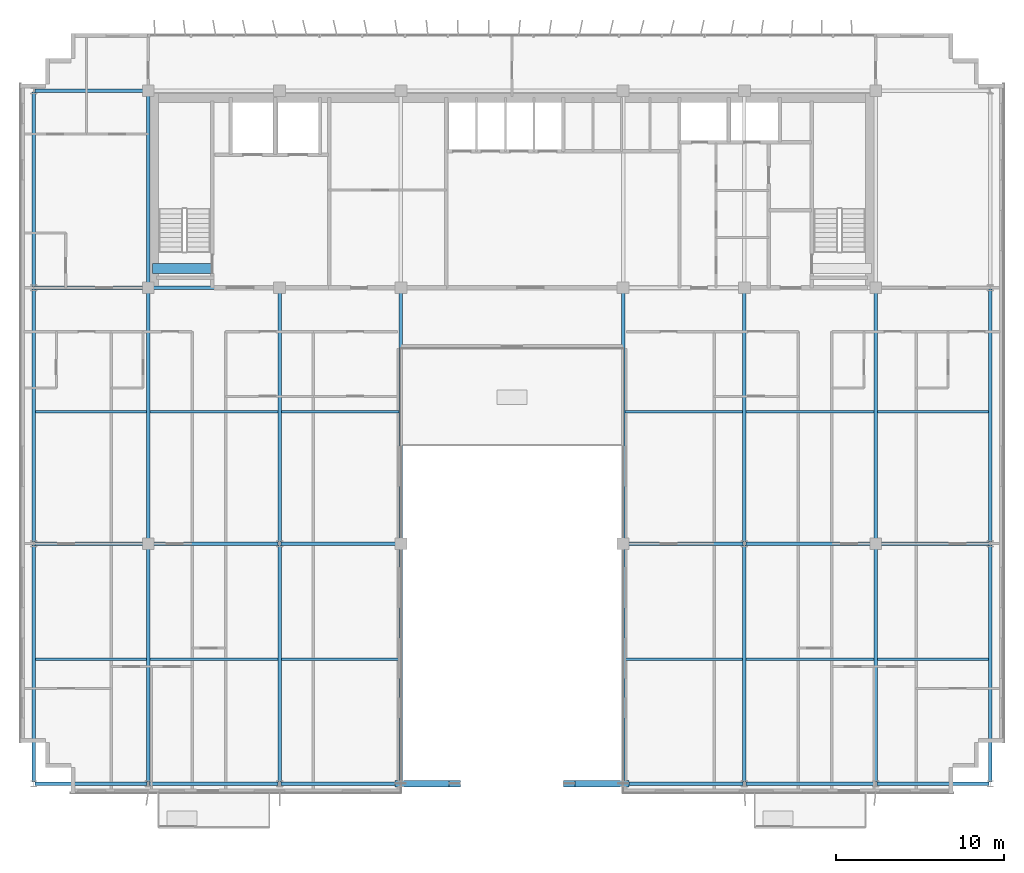
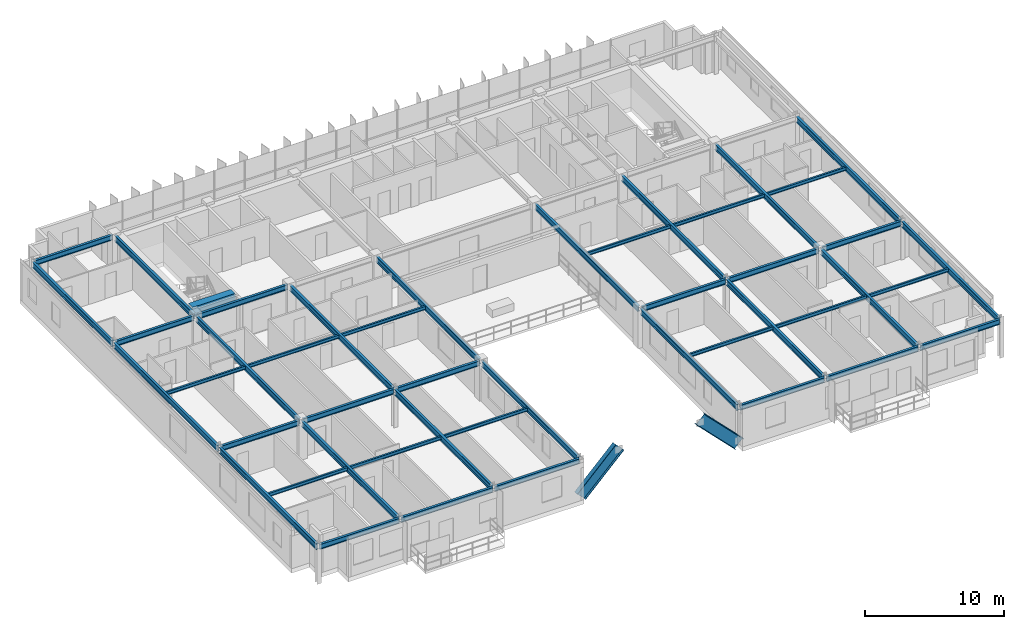
# One storey, part 5 of 23: 46 beams, 2 members.
"""IFC4 building model written with IfcOpenShell, lengths in metres."""

from ifc_helpers import new_model, si_unit, direction, frame, origin, origin_2d, place, context, subcontext, project, spatial, rectangle, i_section, extrude, source, transform, mapped, material, material_profile, profile_set, type_object, element, save


model = new_model("IFC4")

# Units and contexts
model_context = context("Model", 3, precision=1e-05, world=origin(), true_north=direction((0.0, 1.0)))
body_context = subcontext(model_context, "Body", "Model", "MODEL_VIEW")
ifc_project = project(units=[si_unit("LENGTHUNIT", "METRE"), si_unit("AREAUNIT", "SQUARE_METRE"), si_unit("VOLUMEUNIT", "CUBIC_METRE"), si_unit("PLANEANGLEUNIT", "RADIAN"), si_unit("MASSUNIT", "GRAM", prefix="KILO")], contexts=[model_context])

# Site, building, storey
site_placement = place(None, origin())
site = spatial("IfcSite", under=ifc_project, at=site_placement, CompositionType="ELEMENT")
building_placement = place(site_placement, origin())
building = spatial("IfcBuilding", under=site, at=building_placement, Name="Trelvane Seafront Commons", CompositionType="ELEMENT")
storey_placement = place(building_placement, frame((0.0, 0.0, 190.5)))
storey = spatial("IfcBuildingStorey", under=building, at=storey_placement, Name="L49", CompositionType="ELEMENT", Elevation=190.5)

# Beams
ifc_material_1 = material(Name="Concrete C60/75", Category="concrete")
ifc_material_profile_1 = material_profile(ifc_material_1, rectangle(XDim=0.60009765625, YDim=0.89990234375, at=origin_2d()), Name="RC-600x900")
ifc_profile_set_1 = profile_set([ifc_material_profile_1], Name="Concrete C60/75")
beam_type_1 = type_object("IfcBeamType", Name="STR-LNT-RC600x900", PredefinedType="LINTEL", material=ifc_profile_set_1)
shared_shape_1 = source(origin(), body_context, "Body", "SweptSolid", [
    extrude(rectangle(XDim=0.60009765625, YDim=0.89990234375, at=origin_2d()), origin(), (0.0, 0.0, 1.0), 3.5498046875),
])
beam_1_placement = place(storey_placement, frame((15.85009765625, 34.550048828125, 2.909912109375), z_axis=(1.0, 0.0, 0.0), x_axis=(0.0, 1.0, 0.0)))
element("IfcBeam", 1, at=beam_1_placement, inside=storey, type_object=beam_type_1, Name="L49 Core Coupling Lintel Beam CB-67", PredefinedType="LINTEL", context=body_context, shape_type="MappedRepresentation", body=[
    mapped(shared_shape_1, transform((0.0, 0.0, 0.0), x_axis=(1.0, 0.0, 0.0), y_axis=(0.0, 1.0, 0.0), z_axis=(0.0, 0.0, 1.0), scale=1.0)),
])
ifc_material_2 = material(Name="Steel SM355 (S355)", Category="steel")
ifc_material_profile_2 = material_profile(ifc_material_2, i_section(OverallWidth=0.199951171875, OverallDepth=0.5, WebThickness=0.010009765625, FlangeThickness=0.01611328125, at=origin_2d()), Name="H-500x200x10x16")
ifc_profile_set_2 = profile_set([ifc_material_profile_2], Name="Steel SM355 (S355)")
beam_type_2 = type_object("IfcBeamType", Name="STR-BM-H500", PredefinedType="BEAM", material=ifc_profile_set_2)
shared_shape_2 = source(origin(), body_context, "Body", "SweptSolid", [
    extrude(i_section(OverallWidth=0.199951171875, OverallDepth=0.5, WebThickness=0.010009765625, FlangeThickness=0.01611328125, at=origin_2d()), origin(), (0.0, 0.0, 1.0), 14.89990234375),
])
for number, where, z_axis, x_axis, name in (
    (2, (15.60009765625, 18.35009765625, 3.110107421875), (0.0, 1.0, 0.0), (-1.0, 0.0, 0.0), "L49 Primary Girder G-33"),
    (3, (30.60009765625, 18.35009765625, 3.110107421875), (0.0, 1.0, 0.0), (-1.0, 0.0, 0.0), "L49 Primary Girder G-39"),
    (4, (43.800048828125, 18.35009765625, 3.110107421875), (0.0, 1.0, 0.0), (-1.0, 0.0, 0.0), "L49 Primary Girder G-42"),
    (5, (58.800048828125, 18.35009765625, 3.110107421875), (0.0, 1.0, 0.0), (-1.0, 0.0, 0.0), "L49 Primary Girder G-48"),
):
    element("IfcBeam", number, at=place(storey_placement, frame(where, z_axis=z_axis, x_axis=x_axis)), inside=storey, type_object=beam_type_2, Name=name, PredefinedType="BEAM", context=body_context, shape_type="MappedRepresentation", body=[
        mapped(shared_shape_2, transform((0.0, 0.0, 0.0), x_axis=(1.0, 0.0, 0.0), y_axis=(0.0, 1.0, 0.0), z_axis=(0.0, 0.0, 1.0), scale=1.0)),
    ])
shared_shape_3 = source(origin(), body_context, "Body", "SweptSolid", [
    extrude(i_section(OverallWidth=0.199951171875, OverallDepth=0.5, WebThickness=0.010009765625, FlangeThickness=0.01611328125, at=origin_2d()), origin(), (0.0, 0.0, 1.0), 11.39990234375),
])
beam_2_placement = place(storey_placement, frame((15.60009765625, 33.550048828125, 3.110107421875), z_axis=(0.0, 1.0, 0.0), x_axis=(-1.0, 0.0, 0.0)))
element("IfcBeam", 6, at=beam_2_placement, inside=storey, type_object=beam_type_2, Name="L49 Primary Girder G-34", PredefinedType="BEAM", context=body_context, shape_type="MappedRepresentation", body=[
    mapped(shared_shape_3, transform((0.0, 0.0, 0.0), x_axis=(1.0, 0.0, 0.0), y_axis=(0.0, 1.0, 0.0), z_axis=(0.0, 0.0, 1.0), scale=1.0)),
])
ifc_material_profile_3 = material_profile(ifc_material_2, i_section(OverallWidth=0.199951171875, OverallDepth=0.449951171875, WebThickness=0.009033203125, FlangeThickness=0.013916015625, at=origin_2d()), Name="H-450x200x9x14")
ifc_profile_set_3 = profile_set([ifc_material_profile_3], Name="Steel SM355 (S355)")
beam_type_3 = type_object("IfcBeamType", Name="STR-SPD-H450", PredefinedType="SPANDREL", material=ifc_profile_set_3)
shared_shape_4 = source(origin(), body_context, "Body", "SweptSolid", [
    extrude(i_section(OverallWidth=0.199951171875, OverallDepth=0.449951171875, WebThickness=0.009033203125, FlangeThickness=0.013916015625, at=origin_2d()), origin(), (0.0, 0.0, 1.0), 6.625),
])
for number, where, z_axis, x_axis, name in (
    (7, (8.887451171875, 3.949951171875, 3.135009765625), (1.0, 0.0, 0.0), (0.0, 1.0, 0.0), "L49 Primary Girder G-01"),
    (8, (58.887451171875, 3.949951171875, 3.135009765625), (1.0, 0.0, 0.0), (0.0, 1.0, 0.0), "L49 Primary Girder G-07"),
):
    element("IfcBeam", number, at=place(storey_placement, frame(where, z_axis=z_axis, x_axis=x_axis)), inside=storey, type_object=beam_type_3, Name=name, PredefinedType="SPANDREL", context=body_context, shape_type="MappedRepresentation", body=[
        mapped(shared_shape_4, transform((0.0, 0.0, 0.0), x_axis=(1.0, 0.0, 0.0), y_axis=(0.0, 1.0, 0.0), z_axis=(0.0, 0.0, 1.0), scale=1.0)),
    ])
shared_shape_5 = source(origin(), body_context, "Body", "SweptSolid", [
    extrude(i_section(OverallWidth=0.199951171875, OverallDepth=0.449951171875, WebThickness=0.009033203125, FlangeThickness=0.013916015625, at=origin_2d()), origin(), (0.0, 0.0, 1.0), 7.625),
])
for number, where, z_axis, x_axis, name in (
    (9, (15.6875, 3.949951171875, 3.135009765625), (1.0, 0.0, 0.0), (0.0, 1.0, 0.0), "L49 Primary Girder G-02"),
    (10, (51.08740234375, 3.949951171875, 3.135009765625), (1.0, 0.0, 0.0), (0.0, 1.0, 0.0), "L49 Primary Girder G-06"),
):
    element("IfcBeam", number, at=place(storey_placement, frame(where, z_axis=z_axis, x_axis=x_axis)), inside=storey, type_object=beam_type_3, Name=name, PredefinedType="SPANDREL", context=body_context, shape_type="MappedRepresentation", body=[
        mapped(shared_shape_5, transform((0.0, 0.0, 0.0), x_axis=(1.0, 0.0, 0.0), y_axis=(0.0, 1.0, 0.0), z_axis=(0.0, 0.0, 1.0), scale=1.0)),
    ])
shared_shape_6 = source(origin(), body_context, "Body", "SweptSolid", [
    extrude(i_section(OverallWidth=0.199951171875, OverallDepth=0.449951171875, WebThickness=0.009033203125, FlangeThickness=0.013916015625, at=origin_2d()), origin(), (0.0, 0.0, 1.0), 7.02490234375),
])
beam_3_placement = place(storey_placement, frame((23.487548828125, 3.949951171875, 3.135009765625), z_axis=(1.0, 0.0, 0.0), x_axis=(0.0, 1.0, 0.0)))
element("IfcBeam", 11, at=beam_3_placement, inside=storey, type_object=beam_type_3, Name="L49 Primary Girder G-03", PredefinedType="SPANDREL", context=body_context, shape_type="MappedRepresentation", body=[
    mapped(shared_shape_6, transform((0.0, 0.0, 0.0), x_axis=(1.0, 0.0, 0.0), y_axis=(0.0, 1.0, 0.0), z_axis=(0.0, 0.0, 1.0), scale=1.0)),
])
shared_shape_7 = source(origin(), body_context, "Body", "SweptSolid", [
    extrude(i_section(OverallWidth=0.199951171875, OverallDepth=0.449951171875, WebThickness=0.009033203125, FlangeThickness=0.013916015625, at=origin_2d()), origin(), (0.0, 0.0, 1.0), 7.025146484375),
])
beam_4_placement = place(storey_placement, frame((43.887451171875, 3.949951171875, 3.135009765625), z_axis=(1.0, 0.0, 0.0), x_axis=(0.0, 1.0, 0.0)))
element("IfcBeam", 12, at=beam_4_placement, inside=storey, type_object=beam_type_3, Name="L49 Primary Girder G-05", PredefinedType="SPANDREL", context=body_context, shape_type="MappedRepresentation", body=[
    mapped(shared_shape_7, transform((0.0, 0.0, 0.0), x_axis=(1.0, 0.0, 0.0), y_axis=(0.0, 1.0, 0.0), z_axis=(0.0, 0.0, 1.0), scale=1.0)),
])
shared_shape_8 = source(origin(), body_context, "Body", "SweptSolid", [
    extrude(i_section(OverallWidth=0.199951171875, OverallDepth=0.449951171875, WebThickness=0.009033203125, FlangeThickness=0.013916015625, at=origin_2d()), origin(), (0.0, 0.0, 1.0), 6.5625),
])
for number, where, z_axis, x_axis, name in (
    (13, (8.887451171875, 18.199951171875, 3.135009765625), (1.0, 0.0, 0.0), (0.0, 1.0, 0.0), "L49 Primary Girder G-08"),
    (14, (58.949951171875, 18.199951171875, 3.135009765625), (1.0, 0.0, 0.0), (0.0, 1.0, 0.0), "L49 Primary Girder G-14"),
    (15, (8.887451171875, 33.39990234375, 3.135009765625), (1.0, 0.0, 0.0), (0.0, 1.0, 0.0), "L49 Primary Girder G-15"),
    (16, (8.887451171875, 45.10009765625, 3.135009765625), (1.0, 0.0, 0.0), (0.0, 1.0, 0.0), "L49 Primary Girder G-22"),
):
    element("IfcBeam", number, at=place(storey_placement, frame(where, z_axis=z_axis, x_axis=x_axis)), inside=storey, type_object=beam_type_3, Name=name, PredefinedType="SPANDREL", context=body_context, shape_type="MappedRepresentation", body=[
        mapped(shared_shape_8, transform((0.0, 0.0, 0.0), x_axis=(1.0, 0.0, 0.0), y_axis=(0.0, 1.0, 0.0), z_axis=(0.0, 0.0, 1.0), scale=1.0)),
    ])
shared_shape_9 = source(origin(), body_context, "Body", "SweptSolid", [
    extrude(i_section(OverallWidth=0.199951171875, OverallDepth=0.449951171875, WebThickness=0.009033203125, FlangeThickness=0.013916015625, at=origin_2d()), origin(), (0.0, 0.0, 1.0), 7.5625),
])
for number, where, z_axis, x_axis, name in (
    (17, (15.75, 18.199951171875, 3.135009765625), (1.0, 0.0, 0.0), (0.0, 1.0, 0.0), "L49 Primary Girder G-09"),
    (18, (51.08740234375, 18.199951171875, 3.135009765625), (1.0, 0.0, 0.0), (0.0, 1.0, 0.0), "L49 Primary Girder G-13"),
):
    element("IfcBeam", number, at=place(storey_placement, frame(where, z_axis=z_axis, x_axis=x_axis)), inside=storey, type_object=beam_type_3, Name=name, PredefinedType="SPANDREL", context=body_context, shape_type="MappedRepresentation", body=[
        mapped(shared_shape_9, transform((0.0, 0.0, 0.0), x_axis=(1.0, 0.0, 0.0), y_axis=(0.0, 1.0, 0.0), z_axis=(0.0, 0.0, 1.0), scale=1.0)),
    ])
shared_shape_10 = source(origin(), body_context, "Body", "SweptSolid", [
    extrude(i_section(OverallWidth=0.199951171875, OverallDepth=0.449951171875, WebThickness=0.009033203125, FlangeThickness=0.013916015625, at=origin_2d()), origin(), (0.0, 0.0, 1.0), 6.96240234375),
])
beam_5_placement = place(storey_placement, frame((23.487548828125, 18.199951171875, 3.135009765625), z_axis=(1.0, 0.0, 0.0), x_axis=(0.0, 1.0, 0.0)))
element("IfcBeam", 19, at=beam_5_placement, inside=storey, type_object=beam_type_3, Name="L49 Primary Girder G-10", PredefinedType="SPANDREL", context=body_context, shape_type="MappedRepresentation", body=[
    mapped(shared_shape_10, transform((0.0, 0.0, 0.0), x_axis=(1.0, 0.0, 0.0), y_axis=(0.0, 1.0, 0.0), z_axis=(0.0, 0.0, 1.0), scale=1.0)),
])
shared_shape_11 = source(origin(), body_context, "Body", "SweptSolid", [
    extrude(i_section(OverallWidth=0.199951171875, OverallDepth=0.449951171875, WebThickness=0.009033203125, FlangeThickness=0.013916015625, at=origin_2d()), origin(), (0.0, 0.0, 1.0), 6.962646484375),
])
beam_6_placement = place(storey_placement, frame((43.949951171875, 18.199951171875, 3.135009765625), z_axis=(1.0, 0.0, 0.0), x_axis=(0.0, 1.0, 0.0)))
element("IfcBeam", 20, at=beam_6_placement, inside=storey, type_object=beam_type_3, Name="L49 Primary Girder G-12", PredefinedType="SPANDREL", context=body_context, shape_type="MappedRepresentation", body=[
    mapped(shared_shape_11, transform((0.0, 0.0, 0.0), x_axis=(1.0, 0.0, 0.0), y_axis=(0.0, 1.0, 0.0), z_axis=(0.0, 0.0, 1.0), scale=1.0)),
])
shared_shape_12 = source(origin(), body_context, "Body", "SweptSolid", [
    extrude(i_section(OverallWidth=0.199951171875, OverallDepth=0.449951171875, WebThickness=0.009033203125, FlangeThickness=0.013916015625, at=origin_2d()), origin(), (0.0, 0.0, 1.0), 7.5),
])
beam_7_placement = place(storey_placement, frame((15.75, 33.39990234375, 3.135009765625), z_axis=(1.0, 0.0, 0.0), x_axis=(0.0, 1.0, 0.0)))
element("IfcBeam", 21, at=beam_7_placement, inside=storey, type_object=beam_type_3, Name="L49 Primary Girder G-16", PredefinedType="SPANDREL", context=body_context, shape_type="MappedRepresentation", body=[
    mapped(shared_shape_12, transform((0.0, 0.0, 0.0), x_axis=(1.0, 0.0, 0.0), y_axis=(0.0, 1.0, 0.0), z_axis=(0.0, 0.0, 1.0), scale=1.0)),
])
shared_shape_13 = source(origin(), body_context, "Body", "SweptSolid", [
    extrude(i_section(OverallWidth=0.199951171875, OverallDepth=0.5, WebThickness=0.010009765625, FlangeThickness=0.01611328125, at=origin_2d()), origin(), (0.0, 0.0, 1.0), 14.074951171875),
])
for number, where, z_axis, x_axis, name in (
    (22, (8.800048828125, 4.03759765625, 3.110107421875), (0.0, 1.0, 0.0), (-1.0, 0.0, 0.0), "L49 Primary Girder G-29"),
    (23, (23.39990234375, 4.03759765625, 3.110107421875), (0.0, 1.0, 0.0), (-1.0, 0.0, 0.0), "L49 Primary Girder G-35"),
    (24, (51.0, 4.03759765625, 3.110107421875), (0.0, 1.0, 0.0), (-1.0, 0.0, 0.0), "L49 Primary Girder G-44"),
    (25, (65.60009765625, 4.03759765625, 3.110107421875), (0.0, 1.0, 0.0), (-1.0, 0.0, 0.0), "L49 Primary Girder G-50"),
):
    element("IfcBeam", number, at=place(storey_placement, frame(where, z_axis=z_axis, x_axis=x_axis)), inside=storey, type_object=beam_type_2, Name=name, PredefinedType="BEAM", context=body_context, shape_type="MappedRepresentation", body=[
        mapped(shared_shape_13, transform((0.0, 0.0, 0.0), x_axis=(1.0, 0.0, 0.0), y_axis=(0.0, 1.0, 0.0), z_axis=(0.0, 0.0, 1.0), scale=1.0)),
    ])
shared_shape_14 = source(origin(), body_context, "Body", "SweptSolid", [
    extrude(i_section(OverallWidth=0.199951171875, OverallDepth=0.5, WebThickness=0.010009765625, FlangeThickness=0.01611328125, at=origin_2d()), origin(), (0.0, 0.0, 1.0), 15.02490234375),
])
for number, where, z_axis, x_axis, name in (
    (26, (8.800048828125, 18.28759765625, 3.110107421875), (0.0, 1.0, 0.0), (-1.0, 0.0, 0.0), "L49 Primary Girder G-30"),
    (27, (65.60009765625, 18.28759765625, 3.110107421875), (0.0, 1.0, 0.0), (-1.0, 0.0, 0.0), "L49 Primary Girder G-51"),
):
    element("IfcBeam", number, at=place(storey_placement, frame(where, z_axis=z_axis, x_axis=x_axis)), inside=storey, type_object=beam_type_2, Name=name, PredefinedType="BEAM", context=body_context, shape_type="MappedRepresentation", body=[
        mapped(shared_shape_14, transform((0.0, 0.0, 0.0), x_axis=(1.0, 0.0, 0.0), y_axis=(0.0, 1.0, 0.0), z_axis=(0.0, 0.0, 1.0), scale=1.0)),
    ])
shared_shape_15 = source(origin(), body_context, "Body", "SweptSolid", [
    extrude(i_section(OverallWidth=0.199951171875, OverallDepth=0.5, WebThickness=0.010009765625, FlangeThickness=0.01611328125, at=origin_2d()), origin(), (0.0, 0.0, 1.0), 11.52490234375),
])
beam_8_placement = place(storey_placement, frame((8.800048828125, 33.487548828125, 3.110107421875), z_axis=(0.0, 1.0, 0.0), x_axis=(-1.0, 0.0, 0.0)))
element("IfcBeam", 28, at=beam_8_placement, inside=storey, type_object=beam_type_2, Name="L49 Primary Girder G-31", PredefinedType="BEAM", context=body_context, shape_type="MappedRepresentation", body=[
    mapped(shared_shape_15, transform((0.0, 0.0, 0.0), x_axis=(1.0, 0.0, 0.0), y_axis=(0.0, 1.0, 0.0), z_axis=(0.0, 0.0, 1.0), scale=1.0)),
])
shared_shape_16 = source(origin(), body_context, "Body", "SweptSolid", [
    extrude(i_section(OverallWidth=0.199951171875, OverallDepth=0.5, WebThickness=0.010009765625, FlangeThickness=0.01611328125, at=origin_2d()), origin(), (0.0, 0.0, 1.0), 14.012451171875),
])
for number, where, z_axis, x_axis, name in (
    (29, (15.60009765625, 4.03759765625, 3.110107421875), (0.0, 1.0, 0.0), (-1.0, 0.0, 0.0), "L49 Primary Girder G-32"),
    (30, (30.60009765625, 4.03759765625, 3.110107421875), (0.0, 1.0, 0.0), (-1.0, 0.0, 0.0), "L49 Primary Girder G-38"),
    (31, (43.800048828125, 4.03759765625, 3.110107421875), (0.0, 1.0, 0.0), (-1.0, 0.0, 0.0), "L49 Primary Girder G-41"),
    (32, (58.800048828125, 4.03759765625, 3.110107421875), (0.0, 1.0, 0.0), (-1.0, 0.0, 0.0), "L49 Primary Girder G-47"),
):
    element("IfcBeam", number, at=place(storey_placement, frame(where, z_axis=z_axis, x_axis=x_axis)), inside=storey, type_object=beam_type_2, Name=name, PredefinedType="BEAM", context=body_context, shape_type="MappedRepresentation", body=[
        mapped(shared_shape_16, transform((0.0, 0.0, 0.0), x_axis=(1.0, 0.0, 0.0), y_axis=(0.0, 1.0, 0.0), z_axis=(0.0, 0.0, 1.0), scale=1.0)),
    ])
shared_shape_17 = source(origin(), body_context, "Body", "SweptSolid", [
    extrude(i_section(OverallWidth=0.199951171875, OverallDepth=0.5, WebThickness=0.010009765625, FlangeThickness=0.01611328125, at=origin_2d()), origin(), (0.0, 0.0, 1.0), 14.96240234375),
])
for number, where, z_axis, x_axis, name in (
    (33, (23.39990234375, 18.28759765625, 3.110107421875), (0.0, 1.0, 0.0), (-1.0, 0.0, 0.0), "L49 Primary Girder G-36"),
    (34, (51.0, 18.28759765625, 3.110107421875), (0.0, 1.0, 0.0), (-1.0, 0.0, 0.0), "L49 Primary Girder G-45"),
):
    element("IfcBeam", number, at=place(storey_placement, frame(where, z_axis=z_axis, x_axis=x_axis)), inside=storey, type_object=beam_type_2, Name=name, PredefinedType="BEAM", context=body_context, shape_type="MappedRepresentation", body=[
        mapped(shared_shape_17, transform((0.0, 0.0, 0.0), x_axis=(1.0, 0.0, 0.0), y_axis=(0.0, 1.0, 0.0), z_axis=(0.0, 0.0, 1.0), scale=1.0)),
    ])
ifc_material_profile_4 = material_profile(ifc_material_2, i_section(OverallWidth=0.14990234375, OverallDepth=0.300048828125, WebThickness=0.006591796875, FlangeThickness=0.009033203125, at=origin_2d()), Name="H-300x150x6.5x9")
ifc_profile_set_4 = profile_set([ifc_material_profile_4], Name="Steel SM355 (S355)")
beam_type_4 = type_object("IfcBeamType", Name="STR-JST-H300", PredefinedType="JOIST", material=ifc_profile_set_4)
shared_shape_18 = source(origin(), body_context, "Body", "SweptSolid", [
    extrude(i_section(OverallWidth=0.14990234375, OverallDepth=0.300048828125, WebThickness=0.006591796875, FlangeThickness=0.009033203125, at=origin_2d()), origin(), (0.0, 0.0, 1.0), 6.60009765625),
])
for number, where, z_axis, x_axis, name in (
    (35, (8.89990234375, 11.324951171875, 3.2099609375), (1.0, 0.0, 0.0), (0.0, 1.0, 0.0), "L49 Secondary Floor Joist B-53"),
    (36, (58.89990234375, 11.324951171875, 3.2099609375), (1.0, 0.0, 0.0), (0.0, 1.0, 0.0), "L49 Secondary Floor Joist B-59"),
    (37, (8.89990234375, 26.050048828125, 3.2099609375), (1.0, 0.0, 0.0), (0.0, 1.0, 0.0), "L49 Secondary Floor Joist B-60"),
    (38, (58.89990234375, 26.050048828125, 3.2099609375), (1.0, 0.0, 0.0), (0.0, 1.0, 0.0), "L49 Secondary Floor Joist B-66"),
):
    element("IfcBeam", number, at=place(storey_placement, frame(where, z_axis=z_axis, x_axis=x_axis)), inside=storey, type_object=beam_type_4, Name=name, PredefinedType="JOIST", context=body_context, shape_type="MappedRepresentation", body=[
        mapped(shared_shape_18, transform((0.0, 0.0, 0.0), x_axis=(1.0, 0.0, 0.0), y_axis=(0.0, 1.0, 0.0), z_axis=(0.0, 0.0, 1.0), scale=1.0)),
    ])
shared_shape_19 = source(origin(), body_context, "Body", "SweptSolid", [
    extrude(i_section(OverallWidth=0.14990234375, OverallDepth=0.300048828125, WebThickness=0.006591796875, FlangeThickness=0.009033203125, at=origin_2d()), origin(), (0.0, 0.0, 1.0), 7.60009765625),
])
for number, where, z_axis, x_axis, name in (
    (39, (15.699951171875, 11.324951171875, 3.2099609375), (1.0, 0.0, 0.0), (0.0, 1.0, 0.0), "L49 Secondary Floor Joist B-54"),
    (40, (15.699951171875, 26.050048828125, 3.2099609375), (1.0, 0.0, 0.0), (0.0, 1.0, 0.0), "L49 Secondary Floor Joist B-61"),
):
    element("IfcBeam", number, at=place(storey_placement, frame(where, z_axis=z_axis, x_axis=x_axis)), inside=storey, type_object=beam_type_4, Name=name, PredefinedType="JOIST", context=body_context, shape_type="MappedRepresentation", body=[
        mapped(shared_shape_19, transform((0.0, 0.0, 0.0), x_axis=(1.0, 0.0, 0.0), y_axis=(0.0, 1.0, 0.0), z_axis=(0.0, 0.0, 1.0), scale=1.0)),
    ])
shared_shape_20 = source(origin(), body_context, "Body", "SweptSolid", [
    extrude(i_section(OverallWidth=0.14990234375, OverallDepth=0.300048828125, WebThickness=0.006591796875, FlangeThickness=0.009033203125, at=origin_2d()), origin(), (0.0, 0.0, 1.0), 7.0),
])
for number, where, z_axis, x_axis, name in (
    (41, (23.5, 11.324951171875, 3.2099609375), (1.0, 0.0, 0.0), (0.0, 1.0, 0.0), "L49 Secondary Floor Joist B-55"),
    (42, (43.89990234375, 11.324951171875, 3.2099609375), (1.0, 0.0, 0.0), (0.0, 1.0, 0.0), "L49 Secondary Floor Joist B-57"),
    (43, (23.5, 26.050048828125, 3.2099609375), (1.0, 0.0, 0.0), (0.0, 1.0, 0.0), "L49 Secondary Floor Joist B-62"),
    (44, (43.89990234375, 26.050048828125, 3.2099609375), (1.0, 0.0, 0.0), (0.0, 1.0, 0.0), "L49 Secondary Floor Joist B-64"),
):
    element("IfcBeam", number, at=place(storey_placement, frame(where, z_axis=z_axis, x_axis=x_axis)), inside=storey, type_object=beam_type_4, Name=name, PredefinedType="JOIST", context=body_context, shape_type="MappedRepresentation", body=[
        mapped(shared_shape_20, transform((0.0, 0.0, 0.0), x_axis=(1.0, 0.0, 0.0), y_axis=(0.0, 1.0, 0.0), z_axis=(0.0, 0.0, 1.0), scale=1.0)),
    ])
shared_shape_21 = source(origin(), body_context, "Body", "SweptSolid", [
    extrude(i_section(OverallWidth=0.14990234375, OverallDepth=0.300048828125, WebThickness=0.006591796875, FlangeThickness=0.009033203125, at=origin_2d()), origin(), (0.0, 0.0, 1.0), 7.599853515625),
])
for number, where, z_axis, x_axis, name in (
    (45, (51.10009765625, 11.324951171875, 3.2099609375), (1.0, 0.0, 0.0), (0.0, 1.0, 0.0), "L49 Secondary Floor Joist B-58"),
    (46, (51.10009765625, 26.050048828125, 3.2099609375), (1.0, 0.0, 0.0), (0.0, 1.0, 0.0), "L49 Secondary Floor Joist B-65"),
):
    element("IfcBeam", number, at=place(storey_placement, frame(where, z_axis=z_axis, x_axis=x_axis)), inside=storey, type_object=beam_type_4, Name=name, PredefinedType="JOIST", context=body_context, shape_type="MappedRepresentation", body=[
        mapped(shared_shape_21, transform((0.0, 0.0, 0.0), x_axis=(1.0, 0.0, 0.0), y_axis=(0.0, 1.0, 0.0), z_axis=(0.0, 0.0, 1.0), scale=1.0)),
    ])

# Members
ifc_material_profile_5 = material_profile(ifc_material_2, i_section(OverallWidth=0.3798828125, OverallDepth=1.0, WebThickness=0.01904296875, FlangeThickness=0.033935546875, at=origin_2d()), Name="W-1000x380x19x34")
ifc_profile_set_5 = profile_set([ifc_material_profile_5], Name="Steel SM355 (S355)")
member_type = type_object("IfcMemberType", Name="STR-STR-W1000", PredefinedType="STRUT", material=ifc_profile_set_5)
shared_shape_22 = source(origin(), body_context, "Body", "SweptSolid", [
    extrude(i_section(OverallWidth=0.3798828125, OverallDepth=1.0, WebThickness=0.01904296875, FlangeThickness=0.033935546875, at=origin_2d()), origin(), (0.0, 0.0, 1.0), 4.5537109375),
])
for number, where, z_axis, x_axis, name in (
    (47, (30.60009765625, 3.949951171875, 0.0), (0.702696903382, 0.0, 0.711489326679), (0.0, 1.0, 0.0), "L49 Void-Portal V-Frame Strut VS-SW"),
    (48, (43.800048828125, 3.949951171875, 0.0), (-0.702696903382, 0.0, 0.711489326679), (0.0, -1.0, 0.0), "L49 Void-Portal V-Frame Strut VS-SE"),
):
    element("IfcMember", number, at=place(storey_placement, frame(where, z_axis=z_axis, x_axis=x_axis)), inside=storey, type_object=member_type, Name=name, PredefinedType="STRUT", context=body_context, shape_type="MappedRepresentation", body=[
        mapped(shared_shape_22, transform((0.0, 0.0, 0.0), x_axis=(1.0, 0.0, 0.0), y_axis=(0.0, 1.0, 0.0), z_axis=(0.0, 0.0, 1.0), scale=1.0)),
    ])

save(model, "model.ifc")
